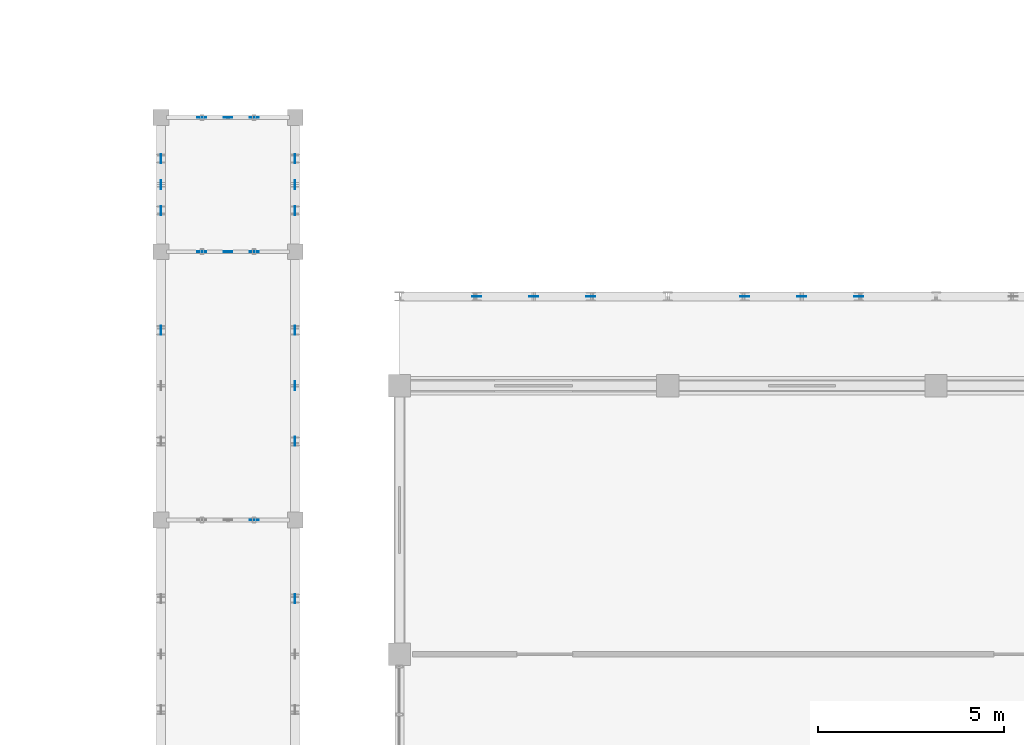
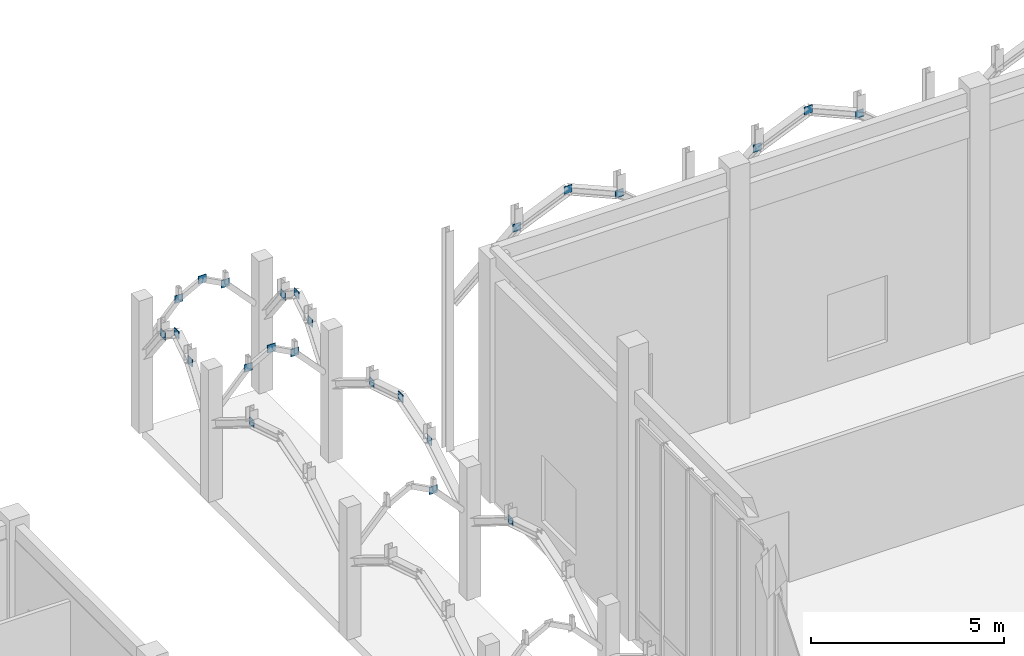
# One storey, part 81 of 138: 24 plates.
"""IFC4 building model written with IfcOpenShell, lengths in metres."""

from ifc_helpers import new_model, si_unit, direction, frame, origin, origin_2d, place, context, subcontext, project, spatial, rectangle, extrude, material, layer, layer_set, type_object, element, save


model = new_model("IFC4")

# Units and contexts
model_context = context("Model", 3, precision=1e-05, world=origin(), true_north=direction((0.0, 1.0)))
body_context = subcontext(model_context, "Body", "Model", "MODEL_VIEW")
ifc_project = project(units=[si_unit("LENGTHUNIT", "METRE"), si_unit("AREAUNIT", "SQUARE_METRE"), si_unit("VOLUMEUNIT", "CUBIC_METRE"), si_unit("PLANEANGLEUNIT", "RADIAN"), si_unit("MASSUNIT", "GRAM", prefix="KILO"), si_unit("THERMODYNAMICTEMPERATUREUNIT", "KELVIN"), si_unit("POWERUNIT", "WATT")], contexts=[model_context])

# Site, building, storey
site_placement = place(None, origin())
site = spatial("IfcSite", under=ifc_project, at=site_placement, CompositionType="ELEMENT")
building_placement = place(site_placement, origin())
building = spatial("IfcBuilding", under=site, at=building_placement, Name="Tavuni Mirador Residences", CompositionType="ELEMENT")
storey_placement = place(building_placement, origin())
storey = spatial("IfcBuildingStorey", under=building, at=storey_placement, Name="L00", CompositionType="ELEMENT", Elevation=0.0)

# Plates
ifc_material = material(Name="Structural steel S355", Category="steel")
ifc_layer = layer(ifc_material, 0.01806640625, Name="Structural steel S355", Category="steel")
ifc_layer_set = layer_set([ifc_layer], Name="Structural steel S355")
plate_type = type_object("IfcPlateType", Name="PLT-GP05", PredefinedType="USERDEFINED", material=ifc_layer_set)
for number, where, z_axis, x_axis, name in (
    (1, (35.69970703125, 97.199951171875, 3.58740234375), (0.0, 0.0, 1.0), (1.0, 0.0, 0.0), "ARCH-COLO-T-06-GQ2"),
    (2, (34.30029296875, 104.39990234375, 3.58740234375), (0.0, 0.0, 1.0), (1.0, 0.0, 0.0), "ARCH-COLO-T-07-GQ1"),
    (3, (35.0, 104.39990234375, 3.9599609375), (0.0, 0.0, 1.0), (1.0, 0.0, 0.0), "ARCH-COLO-T-07-GCR"),
    (4, (35.69970703125, 104.39990234375, 3.58740234375), (0.0, 0.0, 1.0), (1.0, 0.0, 0.0), "ARCH-COLO-T-07-GQ2"),
    (5, (34.30029296875, 108.0, 3.58740234375), (0.0, 0.0, 1.0), (1.0, 0.0, 0.0), "ARCH-COLO-T-08-GQ1"),
    (6, (35.0, 108.0, 3.9599609375), (0.0, 0.0, 1.0), (1.0, 0.0, 0.0), "ARCH-COLO-T-08-GCR"),
    (7, (35.69970703125, 108.0, 3.58740234375), (0.0, 0.0, 1.0), (1.0, 0.0, 0.0), "ARCH-COLO-T-08-GQ2"),
):
    element("IfcPlate", number, at=place(storey_placement, frame(where, z_axis=z_axis, x_axis=x_axis)), inside=storey, type_object=plate_type, Name=name, ObjectType="GUSSET PLATE", PredefinedType="USERDEFINED", context=body_context, shape_type="SweptSolid", body=[
        extrude(rectangle(XDim=0.239990234375, YDim=0.02001953125, at=origin_2d()), origin(), (0.0, 0.0, 1.0), 0.239990234375),
    ])
for number, where, z_axis, x_axis, name in (
    (8, (36.800048828125, 95.091552734375, 3.50341796875), (0.0, 0.0, 1.0), (1.0, 0.0, 0.0), "ARCH-COLO-E-05-GQ2"),
    (9, (33.199951171875, 102.29150390625, 3.50341796875), (0.0, 0.0, 1.0), (1.0, 0.0, 0.0), "ARCH-COLO-W-06-GQ2"),
    (10, (36.800048828125, 99.308349609375, 3.50341796875), (0.0, 0.0, 1.0), (1.0, 0.0, 0.0), "ARCH-COLO-E-06-GQ1"),
    (11, (36.800048828125, 100.800048828125, 3.9599609375), (0.0, 0.0, 1.0), (1.0, 0.0, 0.0), "ARCH-COLO-E-06-GCR"),
    (12, (36.800048828125, 102.29150390625, 3.50341796875), (0.0, 0.0, 1.0), (1.0, 0.0, 0.0), "ARCH-COLO-E-06-GQ2"),
    (13, (33.199951171875, 105.50048828125, 3.50341796875), (0.0, 0.0, 1.0), (1.0, 0.0, 0.0), "ARCH-COLO-W-07-GQ1"),
    (14, (33.199951171875, 106.199951171875, 3.9599609375), (0.0, 0.0, 1.0), (1.0, 0.0, 0.0), "ARCH-COLO-W-07-GCR"),
    (15, (33.199951171875, 106.899658203125, 3.50341796875), (0.0, 0.0, 1.0), (1.0, 0.0, 0.0), "ARCH-COLO-W-07-GQ2"),
    (16, (36.800048828125, 105.50048828125, 3.50341796875), (0.0, 0.0, 1.0), (1.0, 0.0, 0.0), "ARCH-COLO-E-07-GQ1"),
    (17, (36.800048828125, 106.199951171875, 3.9599609375), (0.0, 0.0, 1.0), (1.0, 0.0, 0.0), "ARCH-COLO-E-07-GCR"),
    (18, (36.800048828125, 106.899658203125, 3.50341796875), (0.0, 0.0, 1.0), (1.0, 0.0, 0.0), "ARCH-COLO-E-07-GQ2"),
):
    element("IfcPlate", number, at=place(storey_placement, frame(where, z_axis=z_axis, x_axis=x_axis)), inside=storey, type_object=plate_type, Name=name, ObjectType="GUSSET PLATE", PredefinedType="USERDEFINED", context=body_context, shape_type="SweptSolid", body=[
        extrude(rectangle(XDim=0.02001953125, YDim=0.239990234375, at=origin_2d()), origin(), (0.0, 0.0, 1.0), 0.239990234375),
    ])
for number, where, z_axis, x_axis, name in (
    (19, (41.668701171875, 103.199951171875, 6.181640625), (0.0, 0.0, 1.0), (1.0, 0.0, 0.0), "ARCH-HALL-N-00-GQ1"),
    (20, (43.199951171875, 103.199951171875, 6.84326171875), (0.0, 0.0, 1.0), (1.0, 0.0, 0.0), "ARCH-HALL-N-00-GCR"),
    (21, (44.731201171875, 103.199951171875, 6.181640625), (0.0, 0.0, 1.0), (1.0, 0.0, 0.0), "ARCH-HALL-N-00-GQ2"),
    (22, (48.868896484375, 103.199951171875, 6.181640625), (0.0, 0.0, 1.0), (1.0, 0.0, 0.0), "ARCH-HALL-N-01-GQ1"),
    (23, (50.39990234375, 103.199951171875, 6.84326171875), (0.0, 0.0, 1.0), (1.0, 0.0, 0.0), "ARCH-HALL-N-01-GCR"),
    (24, (51.93115234375, 103.199951171875, 6.181640625), (0.0, 0.0, 1.0), (1.0, 0.0, 0.0), "ARCH-HALL-N-01-GQ2"),
):
    element("IfcPlate", number, at=place(storey_placement, frame(where, z_axis=z_axis, x_axis=x_axis)), inside=storey, type_object=plate_type, Name=name, ObjectType="GUSSET PLATE", PredefinedType="USERDEFINED", context=body_context, shape_type="SweptSolid", body=[
        extrude(rectangle(XDim=0.239990234375, YDim=0.02001953125, at=origin_2d()), origin(), (0.0, 0.0, 1.0), 0.239990234375),
    ])

save(model, "model.ifc")
